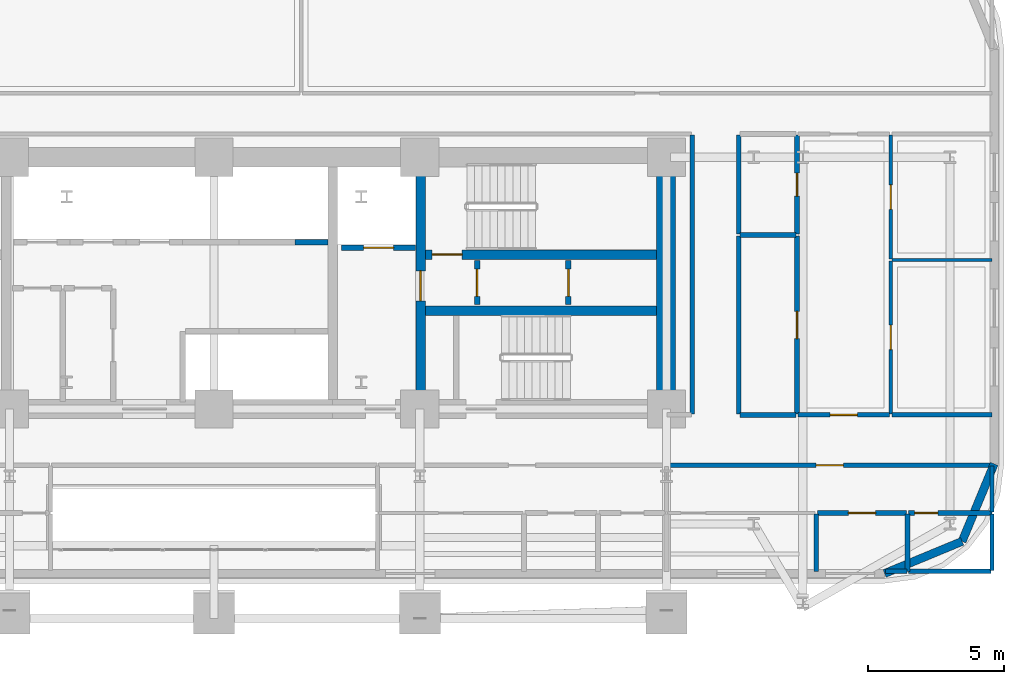
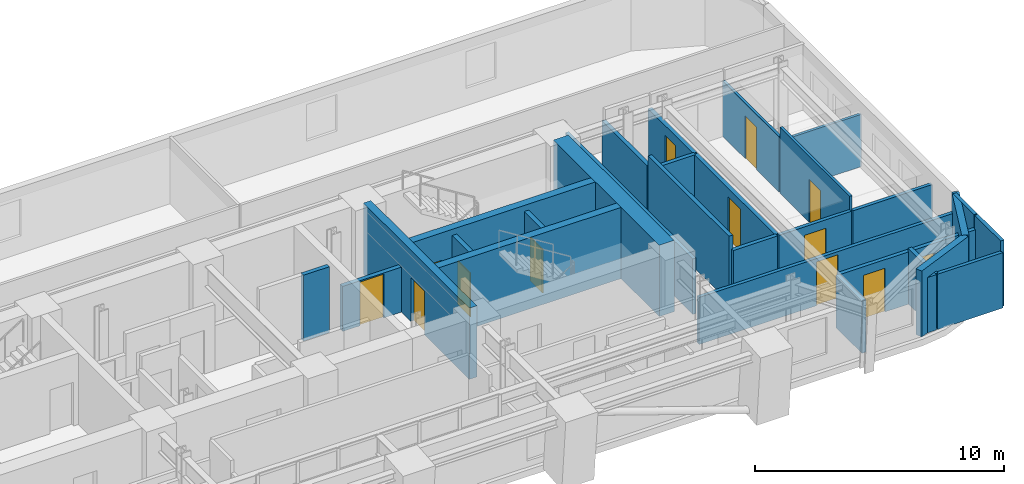
# One storey, part 11 of 16: 31 walls, 13 doors, 13 openings.
"""IFC4 building model written with IfcOpenShell, lengths in metres."""

from ifc_helpers import new_model, si_unit, direction, frame, frame_2d, origin, place, context, subcontext, project, spatial, rectangle, extrude, material, layer, layer_set, type_object, element, fill, save


model = new_model("IFC4")

# Units and contexts
model_context = context("Model", 3, precision=1e-05, world=origin(), true_north=direction((0.0, 1.0)))
body_context = subcontext(model_context, "Body", "Model", "MODEL_VIEW")
ifc_project = project(units=[si_unit("LENGTHUNIT", "METRE"), si_unit("AREAUNIT", "SQUARE_METRE"), si_unit("VOLUMEUNIT", "CUBIC_METRE"), si_unit("PLANEANGLEUNIT", "RADIAN"), si_unit("MASSUNIT", "GRAM", prefix="KILO")], contexts=[model_context])

# Site, building, storey
site_placement = place(None, origin())
site = spatial("IfcSite", under=ifc_project, at=site_placement, CompositionType="ELEMENT")
building_placement = place(site_placement, origin())
building = spatial("IfcBuilding", under=site, at=building_placement, Name="Zarnavel Station Tower", CompositionType="ELEMENT")
storey_placement = place(building_placement, frame((0.0, 0.0, 64.0)))
storey = spatial("IfcBuildingStorey", under=building, at=storey_placement, Name="L17", CompositionType="ELEMENT", Elevation=64.0)

# Wall, opening, door
ifc_material_1 = material(Name="Concrete C50/60", Category="concrete")
ifc_layer_1 = layer(ifc_material_1, 0.35009765625)
ifc_layer_set_1 = layer_set([ifc_layer_1], Name="CW_350")
wall_type_1 = type_object("IfcWallType", Name="CW_350", PredefinedType="SHEAR", material=ifc_layer_set_1)
wall_1_placement = place(storey_placement, frame((36.3798828125, 28.169921875, 0.0), z_axis=(0.0, 0.0, 1.0), x_axis=(0.0, 1.0, 0.0)))
wall_1 = element("IfcWall", 1, at=wall_1_placement, inside=storey, type_object=wall_type_1, Name="L17 Rear Core Shear Wall DIV-S2", PredefinedType="SHEAR", context=body_context, shape_type="SweptSolid", body=[
    extrude(rectangle(XDim=8.530029296875, YDim=0.35009765625, at=frame_2d((4.26513671875, 0.0))), origin(), (0.0, 0.0, 1.0), 3.5),
])
opening_1_placement = place(wall_1_placement, frame((3.610107421875, 0.0, 0.0)))
opening_1 = element("IfcOpeningElement", 2, at=opening_1_placement, cuts=wall_1, Name="Opening FD01", PredefinedType="OPENING", context=body_context, shape_type="SweptSolid", body=[
    extrude(rectangle(XDim=1.10009765625, YDim=2.14990234375, at=frame_2d((0.550048828125, 1.074951171875))), frame((0.0, 0.18505859375, 0.0), z_axis=(0.0, -1.0, 0.0), x_axis=(1.0, 0.0, 0.0)), (0.0, 0.0, 1.0), 0.3701171875),
])
ifc_material_2 = material(Name="Painted Galvanised Steel and Hardwood Leaf", Category="steel")
door_type_1 = type_object("IfcDoorType", Name="ID_STAIR_1100", OperationType="NOTDEFINED", PredefinedType="DOOR", material=ifc_material_2)
door_1_placement = place(opening_1_placement, origin())
door_1 = element("IfcDoor", 3, at=door_1_placement, inside=storey, type_object=door_type_1, Name="L17 East Stair Vestibule Fire Door", OperationType="SINGLE_SWING_LEFT", OverallHeight=2.14990234375, OverallWidth=1.10009765625, PredefinedType="DOOR", context=body_context, shape_type="SweptSolid", body=[
    extrude(rectangle(XDim=1.10009765625, YDim=2.14990234375, at=frame_2d((0.550048828125, 1.074951171875))), frame((0.0, 0.02490234375, 0.0), z_axis=(0.0, -1.0, 0.0), x_axis=(1.0, 0.0, 0.0)), (0.0, 0.0, 1.0), 0.050048828125),
])
fill(opening_1, door_1)

wall_2_placement = place(storey_placement, frame((45.030029296875, 33.47998046875, 0.0), z_axis=(0.0, 0.0, 1.0), x_axis=(-1.0, 0.0, 0.0)))
wall_2 = element("IfcWall", 4, at=wall_2_placement, inside=storey, type_object=wall_type_1, Name="L17 Rear Core Shear Wall DIV-H2", PredefinedType="SHEAR", context=body_context, shape_type="SweptSolid", body=[
    extrude(rectangle(XDim=8.47509765625, YDim=0.35009765625, at=frame_2d((4.237548828125, 0.0))), origin(), (0.0, 0.0, 1.0), 3.5),
])
opening_2_placement = place(wall_2_placement, frame((7.1298828125, 0.0, 0.0)))
opening_2 = element("IfcOpeningElement", 5, at=opening_2_placement, cuts=wall_2, Name="Opening FD01", PredefinedType="OPENING", context=body_context, shape_type="SweptSolid", body=[
    extrude(rectangle(XDim=1.10009765625, YDim=2.14990234375, at=frame_2d((0.550048828125, 1.074951171875))), frame((0.0, 0.18505859375, 0.0), z_axis=(0.0, -1.0, 0.0), x_axis=(1.0, 0.0, 0.0)), (0.0, 0.0, 1.0), 0.3701171875),
])
door_2_placement = place(opening_2_placement, origin())
door_2 = element("IfcDoor", 6, at=door_2_placement, inside=storey, type_object=door_type_1, Name="L17 Stair ST2 Lobby Fire Door", OperationType="SINGLE_SWING_RIGHT", OverallHeight=2.14990234375, OverallWidth=1.10009765625, PredefinedType="DOOR", context=body_context, shape_type="SweptSolid", body=[
    extrude(rectangle(XDim=1.10009765625, YDim=2.14990234375, at=frame_2d((0.550048828125, 1.074951171875))), frame((0.0, 0.02490234375, 0.0), z_axis=(0.0, -1.0, 0.0), x_axis=(1.0, 0.0, 0.0)), (0.0, 0.0, 1.0), 0.050048828125),
])
fill(opening_2, door_2)

# Walls
wall_3_placement = place(storey_placement, frame((36.554931640625, 31.419921875, 0.0), z_axis=(0.0, 0.0, 1.0), x_axis=(1.0, 0.0, 0.0)))
element("IfcWall", 7, at=wall_3_placement, inside=storey, type_object=wall_type_1, Name="L17 Rear Core Shear Wall DIV-H3", PredefinedType="SHEAR", context=body_context, shape_type="SweptSolid", body=[
    extrude(rectangle(XDim=8.47509765625, YDim=0.35009765625, at=frame_2d((4.237548828125, 0.0))), origin(), (0.0, 0.0, 1.0), 3.5),
])
ifc_material_3 = material(Name="Concrete C60/75", Category="concrete")
ifc_layer_2 = layer(ifc_material_3, 0.699951171875)
ifc_layer_set_2 = layer_set([ifc_layer_2], Name="CW_700")
wall_type_2 = type_object("IfcWallType", Name="CW_700", PredefinedType="SHEAR", material=ifc_layer_set_2)
wall_4_placement = place(storey_placement, frame((45.3798828125, 28.169921875, 0.0), z_axis=(0.0, 0.0, 1.0), x_axis=(0.0, 1.0, 0.0)))
element("IfcWall", 8, at=wall_4_placement, inside=storey, type_object=wall_type_2, Name="L17 Rear Core Shear Wall E", PredefinedType="SHEAR", context=body_context, shape_type="SweptSolid", body=[
    extrude(rectangle(XDim=8.530029296875, YDim=0.699951171875, at=frame_2d((4.26513671875, 0.0))), origin(), (0.0, 0.0, 1.0), 3.5),
])
ifc_material_4 = material(Name="Precast concrete C45/55 (Dark Basalt Finish)", Category="masonry")
ifc_layer_3 = layer(ifc_material_4, 0.300048828125)
ifc_layer_set_3 = layer_set([ifc_layer_3], Name="EW_BASALT_300")
wall_type_3 = type_object("IfcWallType", Name="EW_BASALT_300", PredefinedType="SOLIDWALL", material=ifc_layer_set_3)
wall_5_placement = place(storey_placement, frame((56.24267578125, 22.95751953125, 0.0), z_axis=(0.0, 0.0, 1.0), x_axis=(-0.923882414032, -0.382676475685, 0.0)))
element("IfcWall", 9, at=wall_5_placement, inside=storey, type_object=wall_type_3, Name="L17 Exterior Basalt Masonry Frame Wall 01", PredefinedType="SOLIDWALL", context=body_context, shape_type="SweptSolid", body=[
    extrude(rectangle(XDim=3.076904296875, YDim=0.300048828125, at=frame_2d((1.53857421875, 0.0))), origin(), (0.0, 0.0, 1.0), 3.239990234375),
])
wall_6_placement = place(storey_placement, frame((57.419921875, 25.800048828125, 0.0), z_axis=(0.0, 0.0, 1.0), x_axis=(-0.382636798336, -0.92389884758, 0.0)))
element("IfcWall", 10, at=wall_6_placement, inside=storey, type_object=wall_type_3, Name="L17 Exterior Basalt Masonry Frame Wall 02", PredefinedType="SOLIDWALL", context=body_context, shape_type="SweptSolid", body=[
    extrude(rectangle(XDim=3.07666015625, YDim=0.300048828125, at=frame_2d((1.538330078125, 0.0))), origin(), (0.0, 0.0, 1.0), 3.239990234375),
])

# Wall, opening, door
ifc_material_5 = material(Name="Gypsum Twin-Stud Acoustic Fire Partition", Category="concrete")
ifc_layer_4 = layer(ifc_material_5, 0.159912109375)
ifc_layer_set_4 = layer_set([ifc_layer_4], Name="PT_DEMISE_160")
wall_type_4 = type_object("IfcWallType", Name="PT_DEMISE_160", PredefinedType="PARTITIONING", material=ifc_layer_set_4)
wall_7_placement = place(storey_placement, frame((50.22705078125, 27.60009765625, 0.0), z_axis=(0.0, 0.0, 1.0), x_axis=(1.0, 0.0, 0.0)))
wall_7 = element("IfcWall", 11, at=wall_7_placement, inside=storey, type_object=wall_type_4, Name="L17 Partition COR-S-FNELV", PredefinedType="PARTITIONING", context=body_context, shape_type="SweptSolid", body=[
    extrude(rectangle(XDim=3.35693359375, YDim=0.159912109375, at=frame_2d((1.678466796875, 0.0))), origin(), (0.0, 0.0, 1.0), 2.570068359375),
])
opening_3_placement = place(wall_7_placement, frame((1.178466796875, 0.0, 0.0)))
opening_3 = element("IfcOpeningElement", 12, at=opening_3_placement, cuts=wall_7, Name="Opening FD02", PredefinedType="OPENING", context=body_context, shape_type="SweptSolid", body=[
    extrude(rectangle(XDim=1.0, YDim=2.14990234375, at=frame_2d((0.5, 1.074951171875))), frame((0.0, 0.08984375, 0.0), z_axis=(0.0, -1.0, 0.0), x_axis=(1.0, 0.0, 0.0)), (0.0, 0.0, 1.0), 0.179931640625),
])
ifc_material_6 = material(Name="Painted Galvanised Steel and Hardwood Leaf", Category="steel")
door_type_2 = type_object("IfcDoorType", Name="ID_ENTRY_1000", OperationType="NOTDEFINED", PredefinedType="DOOR", material=ifc_material_6)
door_3_placement = place(opening_3_placement, origin())
door_3 = element("IfcDoor", 13, at=door_3_placement, inside=storey, type_object=door_type_2, Name="L17 Door COR-S-FNELV", OperationType="SINGLE_SWING_LEFT", OverallHeight=2.14990234375, OverallWidth=1.0, PredefinedType="DOOR", context=body_context, shape_type="SweptSolid", body=[
    extrude(rectangle(XDim=1.0, YDim=2.14990234375, at=frame_2d((0.5, 1.074951171875))), frame((0.0, 0.02490234375, 0.0), z_axis=(0.0, -1.0, 0.0), x_axis=(1.0, 0.0, 0.0)), (0.0, 0.0, 1.0), 0.050048828125),
])
fill(opening_3, door_3)

# Wall
wall_8_placement = place(storey_placement, frame((53.6640625, 27.60009765625, 0.0), z_axis=(0.0, 0.0, 1.0), x_axis=(1.0, 0.0, 0.0)))
element("IfcWall", 14, at=wall_8_placement, inside=storey, type_object=wall_type_4, Name="L17 Partition COR-S-FNEB1", PredefinedType="PARTITIONING", context=body_context, shape_type="SweptSolid", body=[
    extrude(rectangle(XDim=3.676025390625, YDim=0.159912109375, at=frame_2d((1.837890625, 0.0))), origin(), (0.0, 0.0, 1.0), 2.570068359375),
])

# Wall, opening, door
wall_9_placement = place(storey_placement, frame((45.43994140625, 25.75, 0.0), z_axis=(0.0, 0.0, 1.0), x_axis=(1.0, 0.0, 0.0)))
wall_9 = element("IfcWall", 15, at=wall_9_placement, inside=storey, type_object=wall_type_4, Name="L17 Partition COR-S-UE2LV", PredefinedType="PARTITIONING", context=body_context, shape_type="SweptSolid", body=[
    extrude(rectangle(XDim=11.900146484375, YDim=0.159912109375, at=frame_2d((5.9501953125, 0.0))), origin(), (0.0, 0.0, 1.0), 2.31005859375),
])
opening_4_placement = place(wall_9_placement, frame((5.449951171875, 0.0, 0.0)))
opening_4 = element("IfcOpeningElement", 16, at=opening_4_placement, cuts=wall_9, Name="Opening FD02", PredefinedType="OPENING", context=body_context, shape_type="SweptSolid", body=[
    extrude(rectangle(XDim=1.0, YDim=2.14990234375, at=frame_2d((0.5, 1.074951171875))), frame((0.0, 0.08984375, 0.0), z_axis=(0.0, -1.0, 0.0), x_axis=(1.0, 0.0, 0.0)), (0.0, 0.0, 1.0), 0.179931640625),
])
door_4_placement = place(opening_4_placement, origin())
door_4 = element("IfcDoor", 17, at=door_4_placement, inside=storey, type_object=door_type_2, Name="L17 Door COR-S-UE2LV", OperationType="SINGLE_SWING_LEFT", OverallHeight=2.14990234375, OverallWidth=1.0, PredefinedType="DOOR", context=body_context, shape_type="SweptSolid", body=[
    extrude(rectangle(XDim=1.0, YDim=2.14990234375, at=frame_2d((0.5, 1.074951171875))), frame((0.0, 0.02490234375, 0.0), z_axis=(0.0, -1.0, 0.0), x_axis=(1.0, 0.0, 0.0)), (0.0, 0.0, 1.0), 0.050048828125),
])
fill(opening_4, door_4)

# Walls
wall_10_placement = place(storey_placement, frame((46.35009765625, 27.6298828125, 0.0), z_axis=(0.0, 0.0, 1.0), x_axis=(0.0, 1.0, 0.0)))
element("IfcWall", 18, at=wall_10_placement, inside=storey, type_object=wall_type_4, Name="L17 Enclosure Wall COR-E", PredefinedType="PARTITIONING", context=body_context, shape_type="SweptSolid", body=[
    extrude(rectangle(XDim=10.240234375, YDim=0.159912109375, at=frame_2d((5.1201171875, 0.0))), origin(), (0.0, 0.0, 1.0), 2.719970703125),
])
wall_11_placement = place(storey_placement, frame((57.340087890625, 24.030029296875, 0.0), z_axis=(0.0, 0.0, 1.0), x_axis=(0.0, 1.0, 0.0)))
element("IfcWall", 19, at=wall_11_placement, inside=storey, type_object=wall_type_4, Name="L17 Enclosure Wall UE2LV", PredefinedType="PARTITIONING", context=body_context, shape_type="SweptSolid", body=[
    extrude(rectangle(XDim=1.68994140625, YDim=0.159912109375, at=frame_2d((0.844970703125, 0.0))), origin(), (0.0, 0.0, 1.0), 3.239990234375),
])
wall_12_placement = place(storey_placement, frame((53.429931640625, 21.860107421875, 0.0), z_axis=(0.0, 0.0, 1.0), x_axis=(1.0, 0.0, 0.0)))
element("IfcWall", 20, at=wall_12_placement, inside=storey, type_object=wall_type_4, Name="L17 Enclosure Wall UE2KT", PredefinedType="PARTITIONING", context=body_context, shape_type="SweptSolid", body=[
    extrude(rectangle(XDim=0.78515625, YDim=0.159912109375, at=frame_2d((0.392578125, 0.0))), origin(), (0.0, 0.0, 1.0), 2.719970703125),
])
wall_13_placement = place(storey_placement, frame((54.27490234375, 21.860107421875, 0.0), z_axis=(0.0, 0.0, 1.0), x_axis=(1.0, 0.0, 0.0)))
element("IfcWall", 21, at=wall_13_placement, inside=storey, type_object=wall_type_4, Name="L17 Enclosure Wall UE2BA", PredefinedType="PARTITIONING", context=body_context, shape_type="SweptSolid", body=[
    extrude(rectangle(XDim=3.03515625, YDim=0.159912109375, at=frame_2d((1.517578125, 0.0))), origin(), (0.0, 0.0, 1.0), 2.719970703125),
])
wall_14_placement = place(storey_placement, frame((57.340087890625, 21.889892578125, 0.0), z_axis=(0.0, 0.0, 1.0), x_axis=(0.0, 1.0, 0.0)))
element("IfcWall", 22, at=wall_14_placement, inside=storey, type_object=wall_type_4, Name="L17 Enclosure Wall UE2BA", PredefinedType="PARTITIONING", context=body_context, shape_type="SweptSolid", body=[
    extrude(rectangle(XDim=2.080078125, YDim=0.159912109375, at=frame_2d((1.0400390625, 0.0))), origin(), (0.0, 0.0, 1.0), 3.239990234375),
])

# Wall, opening, door
ifc_material_7 = material(Name="Gypsum Metal-Stud Interior Partition", Category="concrete")
ifc_layer_5 = layer(ifc_material_7, 0.1201171875)
ifc_layer_set_5 = layer_set([ifc_layer_5], Name="PT_ROOM_120")
wall_type_5 = type_object("IfcWallType", Name="PT_ROOM_120", PredefinedType="PARTITIONING", material=ifc_layer_set_5)
wall_15_placement = place(storey_placement, frame((53.6240234375, 27.639892578125, 0.0), z_axis=(0.0, 0.0, 1.0), x_axis=(0.0, 1.0, 0.0)))
wall_15 = element("IfcWall", 23, at=wall_15_placement, inside=storey, type_object=wall_type_5, Name="L17 Partition FNELV-FNEB1", PredefinedType="PARTITIONING", context=body_context, shape_type="SweptSolid", body=[
    extrude(rectangle(XDim=5.59912109375, YDim=0.1201171875, at=frame_2d((2.799560546875, 0.0))), origin(), (0.0, 0.0, 1.0), 3.239990234375),
])
opening_5_placement = place(wall_15_placement, frame((2.349609375, 0.0, 0.0)))
opening_5 = element("IfcOpeningElement", 24, at=opening_5_placement, cuts=wall_15, Name="Opening ID01", PredefinedType="OPENING", context=body_context, shape_type="SweptSolid", body=[
    extrude(rectangle(XDim=0.89990234375, YDim=2.10009765625, at=frame_2d((0.449951171875, 1.050048828125))), frame((0.0, 0.070068359375, 0.0), z_axis=(0.0, -1.0, 0.0), x_axis=(1.0, 0.0, 0.0)), (0.0, 0.0, 1.0), 0.14013671875),
])
ifc_material_8 = material(Name="Painted Galvanised Steel and Hardwood Leaf", Category="steel")
door_type_3 = type_object("IfcDoorType", Name="ID_ROOM_900", OperationType="NOTDEFINED", PredefinedType="DOOR", material=ifc_material_8)
door_5_placement = place(opening_5_placement, origin())
door_5 = element("IfcDoor", 25, at=door_5_placement, inside=storey, type_object=door_type_3, Name="L17 Door FNELV-FNEB1", OperationType="SINGLE_SWING_LEFT", OverallHeight=2.10009765625, OverallWidth=0.89990234375, PredefinedType="DOOR", context=body_context, shape_type="SweptSolid", body=[
    extrude(rectangle(XDim=0.89990234375, YDim=2.10009765625, at=frame_2d((0.449951171875, 1.050048828125))), frame((0.0, 0.02490234375, 0.0), z_axis=(0.0, -1.0, 0.0), x_axis=(1.0, 0.0, 0.0)), (0.0, 0.0, 1.0), 0.050048828125),
])
fill(opening_5, door_5)

wall_16_placement = place(storey_placement, frame((53.6240234375, 33.319091796875, 0.0), z_axis=(0.0, 0.0, 1.0), x_axis=(0.0, 1.0, 0.0)))
wall_16 = element("IfcWall", 26, at=wall_16_placement, inside=storey, type_object=wall_type_5, Name="L17 Partition FNELV-FNEB2", PredefinedType="PARTITIONING", context=body_context, shape_type="SweptSolid", body=[
    extrude(rectangle(XDim=4.541015625, YDim=0.1201171875, at=frame_2d((2.2705078125, 0.0))), origin(), (0.0, 0.0, 1.0), 2.719970703125),
])
opening_6_placement = place(wall_16_placement, frame((1.820556640625, 0.0, 0.0)))
opening_6 = element("IfcOpeningElement", 27, at=opening_6_placement, cuts=wall_16, Name="Opening ID01", PredefinedType="OPENING", context=body_context, shape_type="SweptSolid", body=[
    extrude(rectangle(XDim=0.89990234375, YDim=2.10009765625, at=frame_2d((0.449951171875, 1.050048828125))), frame((0.0, 0.070068359375, 0.0), z_axis=(0.0, -1.0, 0.0), x_axis=(1.0, 0.0, 0.0)), (0.0, 0.0, 1.0), 0.14013671875),
])
door_6_placement = place(opening_6_placement, origin())
door_6 = element("IfcDoor", 28, at=door_6_placement, inside=storey, type_object=door_type_3, Name="L17 Door FNELV-FNEB2", OperationType="SINGLE_SWING_RIGHT", OverallHeight=2.10009765625, OverallWidth=0.89990234375, PredefinedType="DOOR", context=body_context, shape_type="SweptSolid", body=[
    extrude(rectangle(XDim=0.89990234375, YDim=2.10009765625, at=frame_2d((0.449951171875, 1.050048828125))), frame((0.0, 0.02490234375, 0.0), z_axis=(0.0, -1.0, 0.0), x_axis=(1.0, 0.0, 0.0)), (0.0, 0.0, 1.0), 0.050048828125),
])
fill(opening_6, door_6)

# Wall
wall_17_placement = place(storey_placement, frame((53.6640625, 33.279052734375, 0.0), z_axis=(0.0, 0.0, 1.0), x_axis=(1.0, 0.0, 0.0)))
element("IfcWall", 29, at=wall_17_placement, inside=storey, type_object=wall_type_5, Name="L17 Partition FNEB1-FNEB2", PredefinedType="PARTITIONING", context=body_context, shape_type="SweptSolid", body=[
    extrude(rectangle(XDim=3.676025390625, YDim=0.1201171875, at=frame_2d((1.837890625, 0.0))), origin(), (0.0, 0.0, 1.0), 2.570068359375),
])

# Wall, opening, door
ifc_material_9 = material(Name="Precast concrete C45/55 (Fire Shaft Blockwork)", Category="masonry")
ifc_layer_6 = layer(ifc_material_9, 0.199951171875)
ifc_layer_set_6 = layer_set([ifc_layer_6], Name="PT_SHAFT_200")
wall_type_6 = type_object("IfcWallType", Name="PT_SHAFT_200", PredefinedType="PARTITIONING", material=ifc_layer_set_6)
wall_18_placement = place(storey_placement, frame((33.47509765625, 33.72998046875, 0.0), z_axis=(0.0, 0.0, 1.0), x_axis=(1.0, 0.0, 0.0)))
wall_18 = element("IfcWall", 30, at=wall_18_placement, inside=storey, type_object=wall_type_6, Name="L17 Lift FFL-02 Shaft Front Wall", PredefinedType="PARTITIONING", context=body_context, shape_type="SweptSolid", body=[
    extrude(rectangle(XDim=2.724853515625, YDim=0.199951171875, at=frame_2d((1.3623046875, 0.0))), origin(), (0.0, 0.0, 1.0), 2.2119140625),
])
opening_7_placement = place(wall_18_placement, frame((0.8125, 0.0, 0.0)))
opening_7 = element("IfcOpeningElement", 31, at=opening_7_placement, cuts=wall_18, Name="Opening LD01", PredefinedType="OPENING", context=body_context, shape_type="SweptSolid", body=[
    extrude(rectangle(XDim=1.10009765625, YDim=2.14990234375, at=frame_2d((0.550048828125, 1.074951171875))), frame((0.0, 0.10986328125, 0.0), z_axis=(0.0, -1.0, 0.0), x_axis=(1.0, 0.0, 0.0)), (0.0, 0.0, 1.0), 0.219970703125),
])
ifc_material_10 = material(Name="Painted Galvanised Steel and Hardwood Leaf", Category="steel")
door_type_4 = type_object("IfcDoorType", Name="LD_FF_1100", OperationType="DOUBLE_DOOR_SLIDING", PredefinedType="DOOR", material=ifc_material_10)
door_7_placement = place(opening_7_placement, origin())
door_7 = element("IfcDoor", 32, at=door_7_placement, inside=storey, type_object=door_type_4, Name="L17 Lift FFL-02 Sliding Landing Door", OperationType="DOUBLE_DOOR_SLIDING", OverallHeight=2.14990234375, OverallWidth=1.10009765625, PredefinedType="DOOR", context=body_context, shape_type="SweptSolid", body=[
    extrude(rectangle(XDim=1.10009765625, YDim=2.14990234375, at=frame_2d((0.550048828125, 1.074951171875))), frame((0.0, 0.02490234375, 0.0), z_axis=(0.0, -1.0, 0.0), x_axis=(1.0, 0.0, 0.0)), (0.0, 0.0, 1.0), 0.050048828125),
])
fill(opening_7, door_7)

# Wall
wall_19_placement = place(storey_placement, frame((31.77490234375, 33.929931640625, 0.0), z_axis=(0.0, 0.0, 1.0), x_axis=(1.0, 0.0, 0.0)))
element("IfcWall", 33, at=wall_19_placement, inside=storey, type_object=wall_type_6, Name="L17 Lift PL-M3 Shaft Front Wall", PredefinedType="PARTITIONING", context=body_context, shape_type="SweptSolid", body=[
    extrude(rectangle(XDim=1.2001953125, YDim=0.199951171875, at=frame_2d((0.60009765625, 0.0))), origin(), (0.0, 0.0, 1.0), 3.239990234375),
])

# Wall, opening, door
wall_20_placement = place(storey_placement, frame((38.449951171875, 31.639892578125, 0.0), z_axis=(0.0, 0.0, 1.0), x_axis=(0.0, 1.0, 0.0)))
wall_20 = element("IfcWall", 34, at=wall_20_placement, inside=storey, type_object=wall_type_6, Name="L17 Partition ESTV-CEA", PredefinedType="PARTITIONING", context=body_context, shape_type="SweptSolid", body=[
    extrude(rectangle(XDim=1.6201171875, YDim=0.199951171875, at=frame_2d((0.81005859375, 0.0))), origin(), (0.0, 0.0, 1.0), 3.239990234375),
])
opening_8_placement = place(wall_20_placement, frame((0.31005859375, 0.0, 0.0)))
opening_8 = element("IfcOpeningElement", 35, at=opening_8_placement, cuts=wall_20, Name="Opening FD02", PredefinedType="OPENING", context=body_context, shape_type="SweptSolid", body=[
    extrude(rectangle(XDim=1.0, YDim=2.14990234375, at=frame_2d((0.5, 1.074951171875))), frame((0.0, 0.10986328125, 0.0), z_axis=(0.0, -1.0, 0.0), x_axis=(1.0, 0.0, 0.0)), (0.0, 0.0, 1.0), 0.219970703125),
])
door_8_placement = place(opening_8_placement, origin())
door_8 = element("IfcDoor", 36, at=door_8_placement, inside=storey, type_object=door_type_2, Name="L17 Door ESTV-CEA", OperationType="SINGLE_SWING_LEFT", OverallHeight=2.14990234375, OverallWidth=1.0, PredefinedType="DOOR", context=body_context, shape_type="SweptSolid", body=[
    extrude(rectangle(XDim=1.0, YDim=2.14990234375, at=frame_2d((0.5, 1.074951171875))), frame((0.0, 0.02490234375, 0.0), z_axis=(0.0, -1.0, 0.0), x_axis=(1.0, 0.0, 0.0)), (0.0, 0.0, 1.0), 0.050048828125),
])
fill(opening_8, door_8)

wall_21_placement = place(storey_placement, frame((41.800048828125, 31.639892578125, 0.0), z_axis=(0.0, 0.0, 1.0), x_axis=(0.0, 1.0, 0.0)))
wall_21 = element("IfcWall", 37, at=wall_21_placement, inside=storey, type_object=wall_type_6, Name="L17 Partition CEA-CEB", PredefinedType="PARTITIONING", context=body_context, shape_type="SweptSolid", body=[
    extrude(rectangle(XDim=1.6201171875, YDim=0.199951171875, at=frame_2d((0.81005859375, 0.0))), origin(), (0.0, 0.0, 1.0), 3.239990234375),
])
opening_9_placement = place(wall_21_placement, frame((0.31005859375, 0.0, 0.0)))
opening_9 = element("IfcOpeningElement", 38, at=opening_9_placement, cuts=wall_21, Name="Opening FD02", PredefinedType="OPENING", context=body_context, shape_type="SweptSolid", body=[
    extrude(rectangle(XDim=1.0, YDim=2.14990234375, at=frame_2d((0.5, 1.074951171875))), frame((0.0, 0.10986328125, 0.0), z_axis=(0.0, -1.0, 0.0), x_axis=(1.0, 0.0, 0.0)), (0.0, 0.0, 1.0), 0.219970703125),
])
door_9_placement = place(opening_9_placement, origin())
door_9 = element("IfcDoor", 39, at=door_9_placement, inside=storey, type_object=door_type_2, Name="L17 Door CEA-CEB", OperationType="SINGLE_SWING_RIGHT", OverallHeight=2.14990234375, OverallWidth=1.0, PredefinedType="DOOR", context=body_context, shape_type="SweptSolid", body=[
    extrude(rectangle(XDim=1.0, YDim=2.14990234375, at=frame_2d((0.5, 1.074951171875))), frame((0.0, 0.02490234375, 0.0), z_axis=(0.0, -1.0, 0.0), x_axis=(1.0, 0.0, 0.0)), (0.0, 0.0, 1.0), 0.050048828125),
])
fill(opening_9, door_9)

# Walls
ifc_material_11 = material(Name="Moisture-Resistant Plumbing Chase Wall", Category="concrete")
ifc_layer_7 = layer(ifc_material_11, 0.179931640625)
ifc_layer_set_7 = layer_set([ifc_layer_7], Name="PW_PLUMB_180")
wall_type_7 = type_object("IfcWallType", Name="PW_PLUMB_180", PredefinedType="PLUMBINGWALL", material=ifc_layer_set_7)
wall_22_placement = place(storey_placement, frame((48.090087890625, 27.60009765625, 0.0), z_axis=(0.0, 0.0, 1.0), x_axis=(1.0, 0.0, 0.0)))
element("IfcWall", 40, at=wall_22_placement, inside=storey, type_object=wall_type_7, Name="L17 Partition COR-S-FNEKT", PredefinedType="PLUMBINGWALL", context=body_context, shape_type="SweptSolid", body=[
    extrude(rectangle(XDim=2.056884765625, YDim=0.179931640625, at=frame_2d((1.0283203125, 0.0))), origin(), (0.0, 0.0, 1.0), 2.570068359375),
])
wall_23_placement = place(storey_placement, frame((48.050048828125, 27.639892578125, 0.0), z_axis=(0.0, 0.0, 1.0), x_axis=(0.0, 1.0, 0.0)))
element("IfcWall", 41, at=wall_23_placement, inside=storey, type_object=wall_type_7, Name="L17 Partition COR-E-FNEKT", PredefinedType="PLUMBINGWALL", context=body_context, shape_type="SweptSolid", body=[
    extrude(rectangle(XDim=6.51220703125, YDim=0.179931640625, at=frame_2d((3.256103515625, 0.0))), origin(), (0.0, 0.0, 1.0), 3.239990234375),
])
wall_24_placement = place(storey_placement, frame((48.050048828125, 34.23193359375, 0.0), z_axis=(0.0, 0.0, 1.0), x_axis=(0.0, 1.0, 0.0)))
element("IfcWall", 42, at=wall_24_placement, inside=storey, type_object=wall_type_7, Name="L17 Partition COR-E-FNEBA", PredefinedType="PLUMBINGWALL", context=body_context, shape_type="SweptSolid", body=[
    extrude(rectangle(XDim=3.628173828125, YDim=0.179931640625, at=frame_2d((1.81396484375, 0.0))), origin(), (0.0, 0.0, 1.0), 2.719970703125),
])

# Wall, opening, door
wall_25_placement = place(storey_placement, frame((50.18701171875, 27.639892578125, 0.0), z_axis=(0.0, 0.0, 1.0), x_axis=(0.0, 1.0, 0.0)))
wall_25 = element("IfcWall", 43, at=wall_25_placement, inside=storey, type_object=wall_type_7, Name="L17 Partition FNELV-FNEKT", PredefinedType="PLUMBINGWALL", context=body_context, shape_type="SweptSolid", body=[
    extrude(rectangle(XDim=6.51220703125, YDim=0.179931640625, at=frame_2d((3.256103515625, 0.0))), origin(), (0.0, 0.0, 1.0), 2.570068359375),
])
opening_10_placement = place(wall_25_placement, frame((2.756103515625, 0.0, 0.0)))
opening_10 = element("IfcOpeningElement", 44, at=opening_10_placement, cuts=wall_25, Name="Opening FD02", PredefinedType="OPENING", context=body_context, shape_type="SweptSolid", body=[
    extrude(rectangle(XDim=1.0, YDim=2.14990234375, at=frame_2d((0.5, 1.074951171875))), frame((0.0, 0.099853515625, 0.0), z_axis=(0.0, -1.0, 0.0), x_axis=(1.0, 0.0, 0.0)), (0.0, 0.0, 1.0), 0.199951171875),
])
door_10_placement = place(opening_10_placement, origin())
door_10 = element("IfcDoor", 45, at=door_10_placement, inside=storey, type_object=door_type_2, Name="L17 Door FNELV-FNEKT", OperationType="SINGLE_SWING_LEFT", OverallHeight=2.14990234375, OverallWidth=1.0, PredefinedType="DOOR", context=body_context, shape_type="SweptSolid", body=[
    extrude(rectangle(XDim=1.0, YDim=2.14990234375, at=frame_2d((0.5, 1.074951171875))), frame((0.0, 0.02490234375, 0.0), z_axis=(0.0, -1.0, 0.0), x_axis=(1.0, 0.0, 0.0)), (0.0, 0.0, 1.0), 0.050048828125),
])
fill(opening_10, door_10)

wall_26_placement = place(storey_placement, frame((50.18701171875, 34.23193359375, 0.0), z_axis=(0.0, 0.0, 1.0), x_axis=(0.0, 1.0, 0.0)))
wall_26 = element("IfcWall", 46, at=wall_26_placement, inside=storey, type_object=wall_type_7, Name="L17 Partition FNELV-FNEBA", PredefinedType="PLUMBINGWALL", context=body_context, shape_type="SweptSolid", body=[
    extrude(rectangle(XDim=3.628173828125, YDim=0.179931640625, at=frame_2d((1.81396484375, 0.0))), origin(), (0.0, 0.0, 1.0), 2.570068359375),
])
opening_11_placement = place(wall_26_placement, frame((1.388916015625, 0.0, 0.0)))
opening_11 = element("IfcOpeningElement", 47, at=opening_11_placement, cuts=wall_26, Name="Opening ID02", PredefinedType="OPENING", context=body_context, shape_type="SweptSolid", body=[
    extrude(rectangle(XDim=0.85009765625, YDim=2.10009765625, at=frame_2d((0.425048828125, 1.050048828125))), frame((0.0, 0.099853515625, 0.0), z_axis=(0.0, -1.0, 0.0), x_axis=(1.0, 0.0, 0.0)), (0.0, 0.0, 1.0), 0.199951171875),
])
ifc_material_12 = material(Name="Painted Galvanised Steel and Hardwood Leaf", Category="steel")
door_type_5 = type_object("IfcDoorType", Name="ID_BATH_850", OperationType="NOTDEFINED", PredefinedType="DOOR", material=ifc_material_12)
door_11_placement = place(opening_11_placement, origin())
door_11 = element("IfcDoor", 48, at=door_11_placement, inside=storey, type_object=door_type_5, Name="L17 Door FNELV-FNEBA", OperationType="SINGLE_SWING_RIGHT", OverallHeight=2.10009765625, OverallWidth=0.85009765625, PredefinedType="DOOR", context=body_context, shape_type="SweptSolid", body=[
    extrude(rectangle(XDim=0.85009765625, YDim=2.10009765625, at=frame_2d((0.425048828125, 1.050048828125))), frame((0.0, 0.02490234375, 0.0), z_axis=(0.0, -1.0, 0.0), x_axis=(1.0, 0.0, 0.0)), (0.0, 0.0, 1.0), 0.050048828125),
])
fill(opening_11, door_11)

# Wall
wall_27_placement = place(storey_placement, frame((48.090087890625, 34.19189453125, 0.0), z_axis=(0.0, 0.0, 1.0), x_axis=(1.0, 0.0, 0.0)))
element("IfcWall", 49, at=wall_27_placement, inside=storey, type_object=wall_type_7, Name="L17 Partition FNEKT-FNEBA", PredefinedType="PLUMBINGWALL", context=body_context, shape_type="SweptSolid", body=[
    extrude(rectangle(XDim=2.056884765625, YDim=0.179931640625, at=frame_2d((1.0283203125, 0.0))), origin(), (0.0, 0.0, 1.0), 2.570068359375),
])

# Wall, opening, door
wall_28_placement = place(storey_placement, frame((50.931884765625, 24.0, 0.0), z_axis=(0.0, 0.0, 1.0), x_axis=(1.0, 0.0, 0.0)))
wall_28 = element("IfcWall", 50, at=wall_28_placement, inside=storey, type_object=wall_type_7, Name="L17 Partition UE2LV-UE2KT", PredefinedType="PLUMBINGWALL", context=body_context, shape_type="SweptSolid", body=[
    extrude(rectangle(XDim=3.273193359375, YDim=0.179931640625, at=frame_2d((1.63671875, 0.0))), origin(), (0.0, 0.0, 1.0), 2.570068359375),
])
opening_12_placement = place(wall_28_placement, frame((1.136474609375, 0.0, 0.0)))
opening_12 = element("IfcOpeningElement", 51, at=opening_12_placement, cuts=wall_28, Name="Opening FD02", PredefinedType="OPENING", context=body_context, shape_type="SweptSolid", body=[
    extrude(rectangle(XDim=1.0, YDim=2.14990234375, at=frame_2d((0.5, 1.074951171875))), frame((0.0, 0.099853515625, 0.0), z_axis=(0.0, -1.0, 0.0), x_axis=(1.0, 0.0, 0.0)), (0.0, 0.0, 1.0), 0.199951171875),
])
door_12_placement = place(opening_12_placement, origin())
door_12 = element("IfcDoor", 52, at=door_12_placement, inside=storey, type_object=door_type_2, Name="L17 Door UE2LV-UE2KT", OperationType="SINGLE_SWING_LEFT", OverallHeight=2.14990234375, OverallWidth=1.0, PredefinedType="DOOR", context=body_context, shape_type="SweptSolid", body=[
    extrude(rectangle(XDim=1.0, YDim=2.14990234375, at=frame_2d((0.5, 1.074951171875))), frame((0.0, 0.02490234375, 0.0), z_axis=(0.0, -1.0, 0.0), x_axis=(1.0, 0.0, 0.0)), (0.0, 0.0, 1.0), 0.050048828125),
])
fill(opening_12, door_12)

wall_29_placement = place(storey_placement, frame((54.284912109375, 24.0, 0.0), z_axis=(0.0, 0.0, 1.0), x_axis=(1.0, 0.0, 0.0)))
wall_29 = element("IfcWall", 53, at=wall_29_placement, inside=storey, type_object=wall_type_7, Name="L17 Partition UE2LV-UE2BA", PredefinedType="PLUMBINGWALL", context=body_context, shape_type="SweptSolid", body=[
    extrude(rectangle(XDim=3.05517578125, YDim=0.179931640625, at=frame_2d((1.527587890625, 0.0))), origin(), (0.0, 0.0, 1.0), 2.570068359375),
])
opening_13_placement = place(wall_29_placement, frame((0.22021484375, 0.0, 0.0)))
opening_13 = element("IfcOpeningElement", 54, at=opening_13_placement, cuts=wall_29, Name="Opening ID02", PredefinedType="OPENING", context=body_context, shape_type="SweptSolid", body=[
    extrude(rectangle(XDim=0.85009765625, YDim=2.10009765625, at=frame_2d((0.425048828125, 1.050048828125))), frame((0.0, 0.099853515625, 0.0), z_axis=(0.0, -1.0, 0.0), x_axis=(1.0, 0.0, 0.0)), (0.0, 0.0, 1.0), 0.199951171875),
])
door_13_placement = place(opening_13_placement, origin())
door_13 = element("IfcDoor", 55, at=door_13_placement, inside=storey, type_object=door_type_5, Name="L17 Door UE2LV-UE2BA", OperationType="SINGLE_SWING_RIGHT", OverallHeight=2.10009765625, OverallWidth=0.85009765625, PredefinedType="DOOR", context=body_context, shape_type="SweptSolid", body=[
    extrude(rectangle(XDim=0.85009765625, YDim=2.10009765625, at=frame_2d((0.425048828125, 1.050048828125))), frame((0.0, 0.02490234375, 0.0), z_axis=(0.0, -1.0, 0.0), x_axis=(1.0, 0.0, 0.0)), (0.0, 0.0, 1.0), 0.050048828125),
])
fill(opening_13, door_13)

# Walls
wall_30_placement = place(storey_placement, frame((50.89208984375, 21.860107421875, 0.0), z_axis=(0.0, 0.0, 1.0), x_axis=(0.0, 1.0, 0.0)))
element("IfcWall", 56, at=wall_30_placement, inside=storey, type_object=wall_type_7, Name="L17 Partition UE2B1-UE2KT", PredefinedType="PLUMBINGWALL", context=body_context, shape_type="SweptSolid", body=[
    extrude(rectangle(XDim=2.099853515625, YDim=0.179931640625, at=frame_2d((1.0498046875, 0.0))), origin(), (0.0, 0.0, 1.0), 2.570068359375),
])
wall_31_placement = place(storey_placement, frame((54.2451171875, 21.860107421875, 0.0), z_axis=(0.0, 0.0, 1.0), x_axis=(0.0, 1.0, 0.0)))
element("IfcWall", 57, at=wall_31_placement, inside=storey, type_object=wall_type_7, Name="L17 Partition UE2KT-UE2BA", PredefinedType="PLUMBINGWALL", context=body_context, shape_type="SweptSolid", body=[
    extrude(rectangle(XDim=2.099853515625, YDim=0.179931640625, at=frame_2d((1.0498046875, 0.0))), origin(), (0.0, 0.0, 1.0), 2.719970703125),
])

save(model, "model.ifc")
